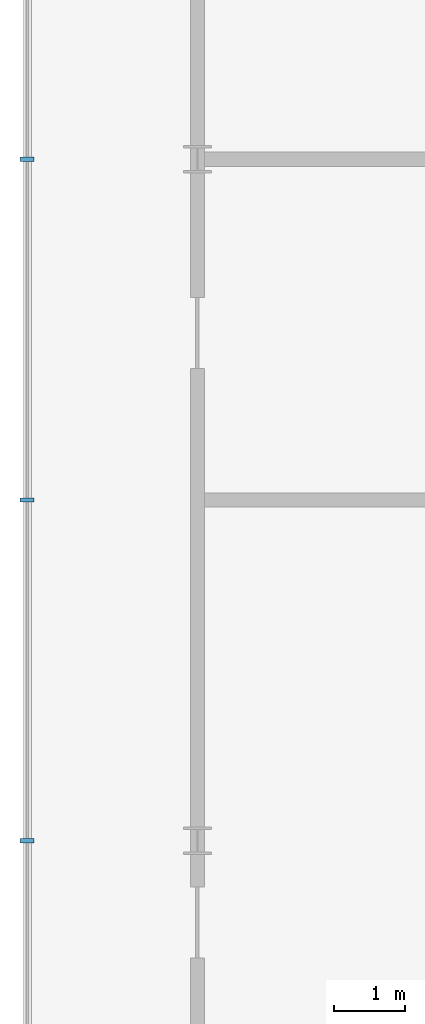
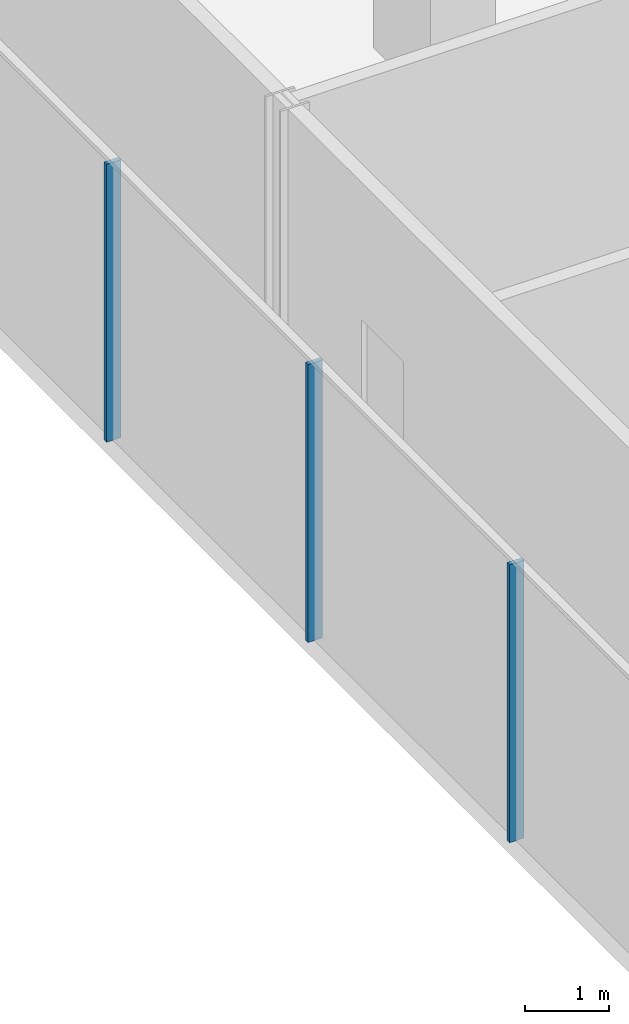
# One storey, part 9 of 32: 3 members, 1 element without a shape of its own.
"""IFC4 building model written with IfcOpenShell, lengths in metres."""

from ifc_helpers import new_model, si_unit, direction, frame, origin, origin_2d, place, context, subcontext, project, spatial, rectangle, extrude, material, layer, layer_set, material_profile, profile_set, type_object, element, aggregate, save


model = new_model("IFC4")

# Units and contexts
model_context = context("Model", 3, precision=1e-05, world=origin(), true_north=direction((0.0, 1.0)))
body_context = subcontext(model_context, "Body", "Model", "MODEL_VIEW")
ifc_project = project(units=[si_unit("LENGTHUNIT", "METRE"), si_unit("AREAUNIT", "SQUARE_METRE"), si_unit("VOLUMEUNIT", "CUBIC_METRE"), si_unit("PLANEANGLEUNIT", "RADIAN"), si_unit("MASSUNIT", "GRAM", prefix="KILO")], contexts=[model_context])

# Site, building, storey
site_placement = place(None, origin())
site = spatial("IfcSite", under=ifc_project, at=site_placement, CompositionType="ELEMENT")
building_placement = place(site_placement, origin())
building = spatial("IfcBuilding", under=site, at=building_placement, Name="Madar Terraces", CompositionType="ELEMENT")
storey_placement = place(building_placement, frame((0.0, 0.0, 19.5)))
storey = spatial("IfcBuildingStorey", under=building, at=storey_placement, Name="L04", CompositionType="ELEMENT", Elevation=19.5)

# Curtain wall, members
ifc_material_1 = material(Name="Glass, clear low-iron, with black aluminium frame", Category="aluminium")
ifc_layer = layer(ifc_material_1, 0.199951171875)
ifc_layer_set = layer_set([ifc_layer], Name="Facade curtain wall, shopfront glazing")
curtain_wall_type = type_object("IfcCurtainWallType", Name="Facade curtain wall, shopfront glazing", PredefinedType="NOTDEFINED", material=ifc_layer_set)
curtain_wall_placement = place(storey_placement, origin())
curtain_wall = element("IfcCurtainWall", 1, at=curtain_wall_placement, inside=storey, type_object=curtain_wall_type, Name="Outer skin curtain wall west bay 1", PredefinedType="NOTDEFINED")
ifc_material_2 = material(Name="Aluminium, black anodised", Category="aluminium")
ifc_material_profile = material_profile(ifc_material_2, rectangle(XDim=0.199951171875, YDim=0.06005859375, at=origin_2d()), Name="Facade mullion 60x200")
ifc_profile_set = profile_set([ifc_material_profile], Name="Aluminium, black anodised")
member_type = type_object("IfcMemberType", Name="Facade mullion 60x200", PredefinedType="MULLION", material=ifc_profile_set)
member_1_placement = place(storey_placement, frame((-7.199951171875, 28.800048828125, 0.0), z_axis=(0.0, 0.0, 1.0), x_axis=(1.0, 0.0, 0.0)))
member_1 = element("IfcMember", 2, at=member_1_placement, type_object=member_type, Name="Mullion 5", PredefinedType="MULLION", context=body_context, shape_type="SweptSolid", body=[
    extrude(rectangle(XDim=0.199951171875, YDim=0.06005859375, at=origin_2d()), origin(), (0.0, 0.0, 1.0), 4.0400390625),
])
member_2_placement = place(storey_placement, frame((-7.199951171875, 24.0, 0.0), z_axis=(0.0, 0.0, 1.0), x_axis=(1.0, 0.0, 0.0)))
member_2 = element("IfcMember", 3, at=member_2_placement, type_object=member_type, Name="Mullion 6", PredefinedType="MULLION", context=body_context, shape_type="SweptSolid", body=[
    extrude(rectangle(XDim=0.199951171875, YDim=0.06005859375, at=origin_2d()), origin(), (0.0, 0.0, 1.0), 4.0400390625),
])
member_3_placement = place(storey_placement, frame((-7.199951171875, 19.199951171875, 0.0), z_axis=(0.0, 0.0, 1.0), x_axis=(1.0, 0.0, 0.0)))
member_3 = element("IfcMember", 4, at=member_3_placement, type_object=member_type, Name="Mullion 7", PredefinedType="MULLION", context=body_context, shape_type="SweptSolid", body=[
    extrude(rectangle(XDim=0.199951171875, YDim=0.06005859375, at=origin_2d()), origin(), (0.0, 0.0, 1.0), 4.0400390625),
])
aggregate(curtain_wall, [member_1, member_2, member_3])

save(model, "model.ifc")
